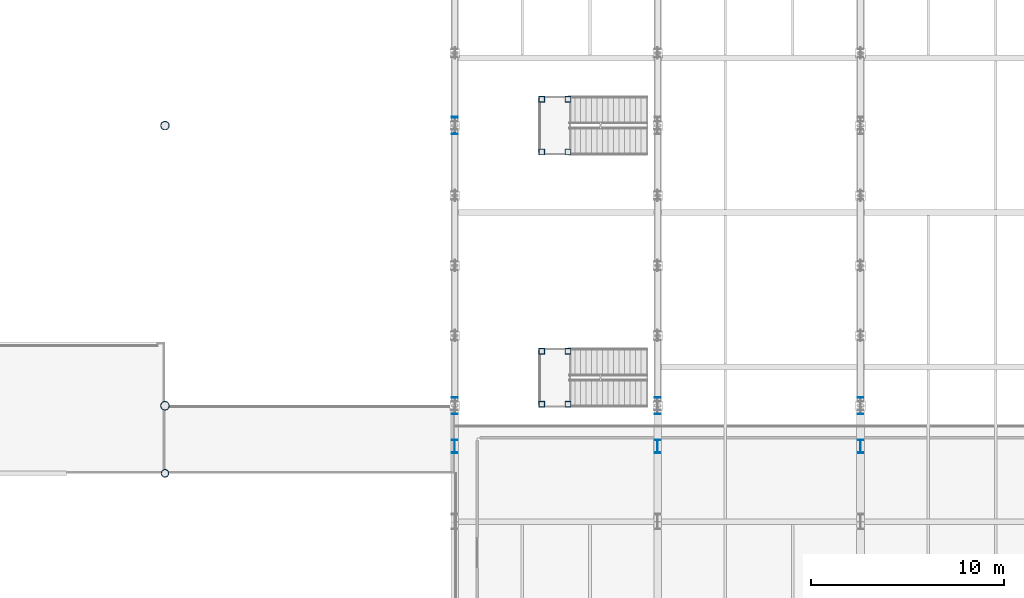
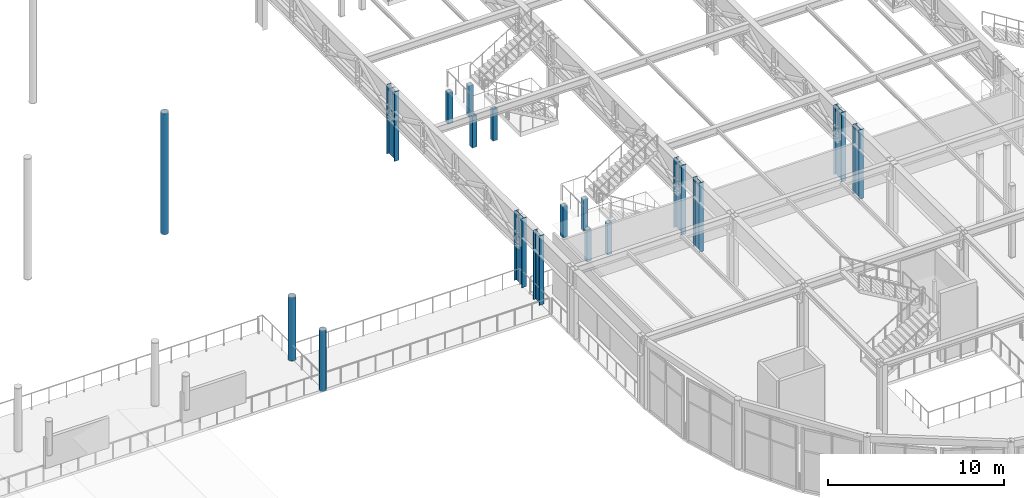
# One storey, part 5 of 143: 18 columns.
"""IFC4 building model written with IfcOpenShell, lengths in metres."""

from ifc_helpers import new_model, si_unit, direction, frame, origin, origin_2d, place, context, subcontext, project, spatial, hollow_rectangle, hollow_circle, i_section, extrude, material, material_profile, profile_set, type_object, element, save


model = new_model("IFC4")

# Units and contexts
model_context = context("Model", 3, precision=1e-05, world=origin(), true_north=direction((0.0, 1.0)))
body_context = subcontext(model_context, "Body", "Model", "MODEL_VIEW")
ifc_project = project(units=[si_unit("LENGTHUNIT", "METRE"), si_unit("AREAUNIT", "SQUARE_METRE"), si_unit("VOLUMEUNIT", "CUBIC_METRE"), si_unit("PLANEANGLEUNIT", "RADIAN"), si_unit("MASSUNIT", "GRAM", prefix="KILO")], contexts=[model_context])

# Site, building, storey
site_placement = place(None, origin())
site = spatial("IfcSite", under=ifc_project, at=site_placement, CompositionType="ELEMENT")
building_placement = place(site_placement, origin())
building = spatial("IfcBuilding", under=site, at=building_placement, Name="Marlcrest Central Station", CompositionType="ELEMENT")
storey_placement = place(building_placement, frame((0.0, 0.0, 4.800048828125)))
storey = spatial("IfcBuildingStorey", under=building, at=storey_placement, Name="L01", CompositionType="ELEMENT", Elevation=4.800048828125)

# Columns
ifc_material = material(Name="Steel S355", Category="steel")
ifc_material_profile_1 = material_profile(ifc_material, i_section(OverallWidth=0.300048828125, OverallDepth=0.699951171875, WebThickness=0.01708984375, FlangeThickness=0.031982421875, FilletRadius=0.027099609375, at=origin_2d()), Name="HEB 700")
ifc_profile_set_1 = profile_set([ifc_material_profile_1], Name="Steel S355")
column_type_1 = type_object("IfcColumnType", Name="SC-07", PredefinedType="COLUMN", material=ifc_profile_set_1)
for number, where, z_axis, x_axis, name in (
    (1, (87.0, 34.39990234375, 0.0), (0.0, 0.0, 1.0), (1.0, 0.0, 0.0), "col-SC-07-L01-0829"),
    (2, (97.5, 34.39990234375, 0.0), (0.0, 0.0, 1.0), (1.0, 0.0, 0.0), "col-SC-07-L01-0832"),
    (3, (108.0, 34.39990234375, 0.0), (0.0, 0.0, 1.0), (1.0, 0.0, 0.0), "col-SC-07-L01-0835"),
):
    element("IfcColumn", number, at=place(storey_placement, frame(where, z_axis=z_axis, x_axis=x_axis)), inside=storey, type_object=column_type_1, Name=name, PredefinedType="COLUMN", context=body_context, shape_type="SweptSolid", body=[
        extrude(i_section(OverallWidth=0.300048828125, OverallDepth=0.699951171875, WebThickness=0.01708984375, FlangeThickness=0.031982421875, FilletRadius=0.027099609375, at=origin_2d()), origin(), (0.0, 0.0, 1.0), 4.81494140625),
    ])
ifc_material_profile_2 = material_profile(ifc_material, i_section(OverallWidth=0.300048828125, OverallDepth=0.89990234375, WebThickness=0.0185546875, FlangeThickness=0.034912109375, FilletRadius=0.030029296875, at=origin_2d()), Name="HEB 900")
ifc_profile_set_2 = profile_set([ifc_material_profile_2], Name="Steel S355")
column_type_2 = type_object("IfcColumnType", Name="SC-09", PredefinedType="COLUMN", material=ifc_profile_set_2)
for number, where, z_axis, x_axis, name in (
    (4, (87.0, 36.5, 0.0), (0.0, 0.0, 1.0), (1.0, 0.0, 0.0), "col-SC-09-L01-0618"),
    (5, (87.0, 51.0, 0.0), (0.0, 0.0, 1.0), (1.0, 0.0, 0.0), "col-SC-09-L01-0620"),
    (6, (97.5, 36.5, 0.0), (0.0, 0.0, 1.0), (1.0, 0.0, 0.0), "col-SC-09-L01-0628"),
    (7, (108.0, 36.5, 0.0), (0.0, 0.0, 1.0), (1.0, 0.0, 0.0), "col-SC-09-L01-0638"),
):
    element("IfcColumn", number, at=place(storey_placement, frame(where, z_axis=z_axis, x_axis=x_axis)), inside=storey, type_object=column_type_2, Name=name, PredefinedType="COLUMN", context=body_context, shape_type="SweptSolid", body=[
        extrude(i_section(OverallWidth=0.300048828125, OverallDepth=0.89990234375, WebThickness=0.0185546875, FlangeThickness=0.034912109375, FilletRadius=0.030029296875, at=origin_2d()), origin(), (0.0, 0.0, 1.0), 4.81494140625),
    ])
ifc_material_profile_3 = material_profile(ifc_material, hollow_circle(Radius=0.203125, WallThickness=0.02001953125, at=origin_2d()), Name="CHS 406.4x20")
ifc_profile_set_3 = profile_set([ifc_material_profile_3], Name="Steel S355")
column_type_3 = type_object("IfcColumnType", Name="SC-10", PredefinedType="COLUMN", material=ifc_profile_set_3)
column_1_placement = place(storey_placement, frame((72.0, 33.0, 0.0), z_axis=(0.0, 0.0, 1.0), x_axis=(1.0, 0.0, 0.0)))
element("IfcColumn", 8, at=column_1_placement, inside=storey, type_object=column_type_3, Name="col-SC-10-L01-0411", PredefinedType="COLUMN", context=body_context, shape_type="SweptSolid", body=[
    extrude(hollow_circle(Radius=0.203125, WallThickness=0.02001953125, at=origin_2d()), origin(), (0.0, 0.0, 1.0), 4.199951171875),
])
ifc_material_profile_4 = material_profile(ifc_material, hollow_circle(Radius=0.228515625, WallThickness=0.02001953125, at=origin_2d()), Name="CHS 457x20")
ifc_profile_set_4 = profile_set([ifc_material_profile_4], Name="Steel S355")
column_type_4 = type_object("IfcColumnType", Name="SC-11", PredefinedType="COLUMN", material=ifc_profile_set_4)
column_2_placement = place(storey_placement, frame((72.0, 36.5, 0.0), z_axis=(0.0, 0.0, 1.0), x_axis=(1.0, 0.0, 0.0)))
element("IfcColumn", 9, at=column_2_placement, inside=storey, type_object=column_type_4, Name="col-SC-11-L01-0493", PredefinedType="COLUMN", context=body_context, shape_type="SweptSolid", body=[
    extrude(hollow_circle(Radius=0.228515625, WallThickness=0.02001953125, at=origin_2d()), origin(), (0.0, 0.0, 1.0), 4.39990234375),
])
column_3_placement = place(storey_placement, frame((72.0, 51.0, 0.0), z_axis=(0.0, 0.0, 1.0), x_axis=(1.0, 0.0, 0.0)))
element("IfcColumn", 10, at=column_3_placement, inside=storey, type_object=column_type_4, Name="col-SC-11-L01-0495", PredefinedType="COLUMN", context=body_context, shape_type="SweptSolid", body=[
    extrude(hollow_circle(Radius=0.228515625, WallThickness=0.02001953125, at=origin_2d()), origin(), (0.0, 0.0, 1.0), 8.40380859375),
])
ifc_material_profile_5 = material_profile(ifc_material, hollow_rectangle(XDim=0.300048828125, YDim=0.300048828125, WallThickness=0.01611328125, at=origin_2d()), Name="SHS 300x300x16")
ifc_profile_set_5 = profile_set([ifc_material_profile_5], Name="Steel S355")
column_type_5 = type_object("IfcColumnType", Name="SC-19", PredefinedType="COLUMN", material=ifc_profile_set_5)
for number, where, z_axis, x_axis, name in (
    (11, (91.5, 36.580078125, 0.0), (0.0, 0.0, 1.0), (1.0, 0.0, 0.0), "stcol-hi1-0003-915-365"),
    (12, (91.5, 39.320068359375, 0.0), (0.0, 0.0, 1.0), (1.0, 0.0, 0.0), "stcol-hi1-0003-915-393"),
    (13, (92.860107421875, 36.580078125, 0.0), (0.0, 0.0, 1.0), (1.0, 0.0, 0.0), "stcol-hi1-0003-928-365"),
    (14, (92.860107421875, 39.320068359375, 0.0), (0.0, 0.0, 1.0), (1.0, 0.0, 0.0), "stcol-hi1-0003-928-393"),
    (15, (91.5, 49.6298828125, 0.0), (0.0, 0.0, 1.0), (1.0, 0.0, 0.0), "stcol-hi1-0009-915-496"),
    (16, (91.5, 52.3701171875, 0.0), (0.0, 0.0, 1.0), (1.0, 0.0, 0.0), "stcol-hi1-0009-915-523"),
    (17, (92.860107421875, 49.6298828125, 0.0), (0.0, 0.0, 1.0), (1.0, 0.0, 0.0), "stcol-hi1-0009-928-496"),
    (18, (92.860107421875, 52.3701171875, 0.0), (0.0, 0.0, 1.0), (1.0, 0.0, 0.0), "stcol-hi1-0009-928-523"),
):
    element("IfcColumn", number, at=place(storey_placement, frame(where, z_axis=z_axis, x_axis=x_axis)), inside=storey, type_object=column_type_5, Name=name, PredefinedType="COLUMN", context=body_context, shape_type="SweptSolid", body=[
        extrude(hollow_rectangle(XDim=0.300048828125, YDim=0.300048828125, WallThickness=0.01611328125, at=origin_2d()), origin(), (0.0, 0.0, 1.0), 2.179931640625),
    ])

save(model, "model.ifc")
